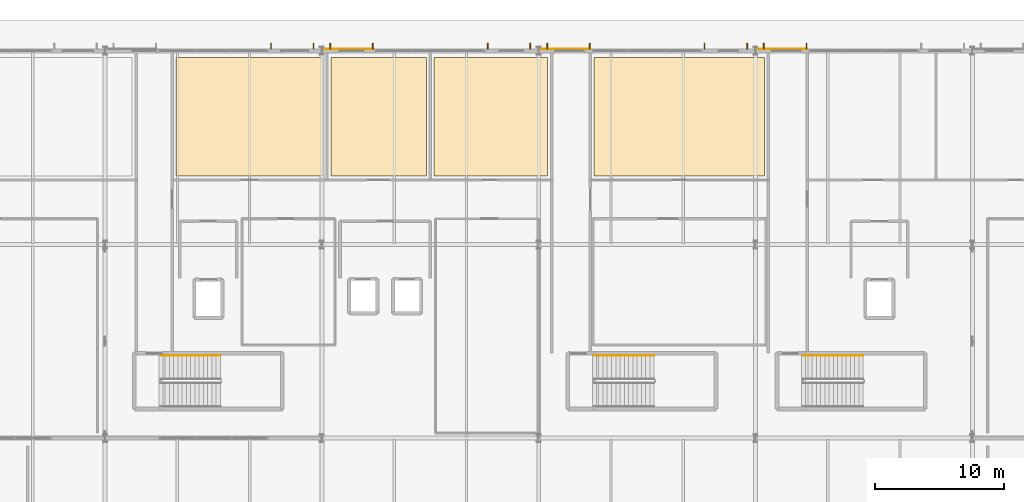
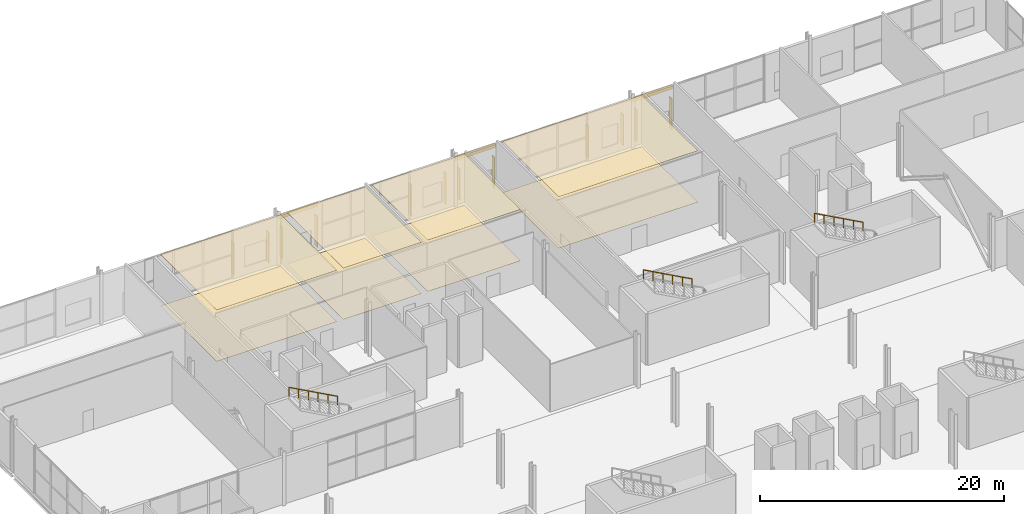
# One storey, part 79 of 87: 12 shading devices, 11 coverings, 3 railings.
"""IFC4 building model written with IfcOpenShell, lengths in metres."""

from ifc_helpers import new_model, si_unit, direction, frame, origin, origin_2d, place, context, subcontext, project, spatial, polyline, rectangle, circle, outline, extrude, material, layer, layer_set, type_object, element, save


model = new_model("IFC4")

# Units and contexts
model_context = context("Model", 3, precision=1e-05, world=origin(), true_north=direction((0.0, 1.0)))
body_context = subcontext(model_context, "Body", "Model", "MODEL_VIEW")
ifc_project = project(units=[si_unit("LENGTHUNIT", "METRE"), si_unit("AREAUNIT", "SQUARE_METRE"), si_unit("VOLUMEUNIT", "CUBIC_METRE"), si_unit("PLANEANGLEUNIT", "RADIAN"), si_unit("MASSUNIT", "GRAM", prefix="KILO")], contexts=[model_context])

# Site, building, storey
site_placement = place(None, origin())
site = spatial("IfcSite", under=ifc_project, at=site_placement, CompositionType="ELEMENT")
building_placement = place(site_placement, origin())
building = spatial("IfcBuilding", under=site, at=building_placement, Name="Kimbaza Rail Terminus", CompositionType="ELEMENT")
storey_placement = place(building_placement, origin())
storey = spatial("IfcBuildingStorey", under=building, at=storey_placement, Name="L00", CompositionType="ELEMENT", Elevation=0.0)

# Coverings
ifc_material_1 = material(Name="Perforated acoustic mineral ceiling tile", Category="gypsum")
ifc_layer_1 = layer(ifc_material_1, 0.02490234375)
ifc_layer_set_1 = layer_set([ifc_layer_1], Name="Perforated acoustic mineral ceiling tile")
covering_type_1 = type_object("IfcCoveringType", Name="ARC-COV-CEIL", PredefinedType="CEILING", material=ifc_layer_set_1)
covering_1_placement = place(storey_placement, frame((0.0, 0.0, 5.139892578125)))
element("IfcCovering", 1, at=covering_1_placement, inside=storey, type_object=covering_type_1, Name="Station Security Control Room Acoustic Ceiling", PredefinedType="CEILING", context=body_context, shape_type="SweptSolid", body=[
    extrude(outline(polyline([(77.5, 123.300048828125), (88.89990234375, 123.300048828125), (88.89990234375, 132.5), (77.5, 132.5), (77.5, 123.300048828125)])), origin(), (0.0, 0.0, 1.0), 0.025146484375),
])
covering_2_placement = place(storey_placement, frame((0.0, 0.0, 5.139892578125)))
element("IfcCovering", 2, at=covering_2_placement, inside=storey, type_object=covering_type_1, Name="Fire Command Centre Acoustic Ceiling", PredefinedType="CEILING", context=body_context, shape_type="SweptSolid", body=[
    extrude(outline(polyline([(89.5, 123.300048828125), (96.89990234375, 123.300048828125), (96.89990234375, 132.5), (89.5, 132.5), (89.5, 123.300048828125)])), origin(), (0.0, 0.0, 1.0), 0.025146484375),
])
covering_3_placement = place(storey_placement, frame((0.0, 0.0, 5.139892578125)))
element("IfcCovering", 3, at=covering_3_placement, inside=storey, type_object=covering_type_1, Name="Passenger Medical and First Aid Clinic Acoustic Ceiling", PredefinedType="CEILING", context=body_context, shape_type="SweptSolid", body=[
    extrude(outline(polyline([(97.5, 123.300048828125), (106.300048828125, 123.300048828125), (106.300048828125, 132.5), (97.5, 132.5), (97.5, 123.300048828125)])), origin(), (0.0, 0.0, 1.0), 0.025146484375),
])
covering_4_placement = place(storey_placement, frame((0.0, 0.0, 5.139892578125)))
element("IfcCovering", 4, at=covering_4_placement, inside=storey, type_object=covering_type_1, Name="Train Crew Locker and Shower Suite Acoustic Ceiling", PredefinedType="CEILING", context=body_context, shape_type="SweptSolid", body=[
    extrude(outline(polyline([(109.89990234375, 123.300048828125), (123.10009765625, 123.300048828125), (123.10009765625, 132.5), (109.89990234375, 132.5), (109.89990234375, 123.300048828125)])), origin(), (0.0, 0.0, 1.0), 0.025146484375),
])
ifc_material_2 = material(Name="Champagne anodised aluminium spandrel cladding", Category="aluminium")
ifc_layer_2 = layer(ifc_material_2, 0.034912109375)
ifc_layer_set_2 = layer_set([ifc_layer_2], Name="Champagne anodised aluminium spandrel cladding")
covering_type_2 = type_object("IfcCoveringType", Name="ARC-COV-CLD1", PredefinedType="CLADDING", material=ifc_layer_set_2)
for number, where, z_axis, x_axis, name in (
    (5, (90.89990234375, 133.156005859375, 4.240234375), (0.0, 0.0, 1.0), (1.0, 0.0, 0.0), "North Spandrel Cladding L00 Bay 3"),
    (6, (107.699951171875, 133.156005859375, 4.240234375), (0.0, 0.0, 1.0), (1.0, 0.0, 0.0), "North Spandrel Cladding L00 Bay 4"),
    (7, (124.5, 133.156005859375, 4.240234375), (0.0, 0.0, 1.0), (1.0, 0.0, 0.0), "North Spandrel Cladding L00 Bay 5"),
):
    element("IfcCovering", number, at=place(storey_placement, frame(where, z_axis=z_axis, x_axis=x_axis)), inside=storey, type_object=covering_type_2, Name=name, PredefinedType="CLADDING", context=body_context, shape_type="SweptSolid", body=[
        extrude(rectangle(XDim=3.800048828125, YDim=0.034912109375, at=origin_2d()), origin(), (0.0, 0.0, 1.0), 0.449951171875),
    ])
ifc_material_3 = material(Name="Honed Congolese granite terrazzo flooring", Category="masonry")
ifc_layer_3 = layer(ifc_material_3, 0.02001953125)
ifc_layer_set_3 = layer_set([ifc_layer_3], Name="Honed Congolese granite terrazzo flooring")
covering_type_3 = type_object("IfcCoveringType", Name="ARC-COV-FLOR", PredefinedType="FLOORING", material=ifc_layer_set_3)
covering_5_placement = place(storey_placement, origin())
element("IfcCovering", 8, at=covering_5_placement, inside=storey, type_object=covering_type_3, Name="Station Security Control Room Terrazzo Flooring", PredefinedType="FLOORING", context=body_context, shape_type="SweptSolid", body=[
    extrude(outline(polyline([(77.5, 123.300048828125), (88.89990234375, 123.300048828125), (88.89990234375, 132.5), (77.5, 132.5), (77.5, 123.300048828125)])), origin(), (0.0, 0.0, 1.0), 0.02001953125),
])
covering_6_placement = place(storey_placement, origin())
element("IfcCovering", 9, at=covering_6_placement, inside=storey, type_object=covering_type_3, Name="Fire Command Centre Terrazzo Flooring", PredefinedType="FLOORING", context=body_context, shape_type="SweptSolid", body=[
    extrude(outline(polyline([(89.5, 123.300048828125), (96.89990234375, 123.300048828125), (96.89990234375, 132.5), (89.5, 132.5), (89.5, 123.300048828125)])), origin(), (0.0, 0.0, 1.0), 0.02001953125),
])
covering_7_placement = place(storey_placement, origin())
element("IfcCovering", 10, at=covering_7_placement, inside=storey, type_object=covering_type_3, Name="Passenger Medical and First Aid Clinic Terrazzo Flooring", PredefinedType="FLOORING", context=body_context, shape_type="SweptSolid", body=[
    extrude(outline(polyline([(97.5, 123.300048828125), (106.300048828125, 123.300048828125), (106.300048828125, 132.5), (97.5, 132.5), (97.5, 123.300048828125)])), origin(), (0.0, 0.0, 1.0), 0.02001953125),
])
covering_8_placement = place(storey_placement, origin())
element("IfcCovering", 11, at=covering_8_placement, inside=storey, type_object=covering_type_3, Name="Train Crew Locker and Shower Suite Terrazzo Flooring", PredefinedType="FLOORING", context=body_context, shape_type="SweptSolid", body=[
    extrude(outline(polyline([(109.89990234375, 123.300048828125), (123.10009765625, 123.300048828125), (123.10009765625, 132.5), (109.89990234375, 132.5), (109.89990234375, 123.300048828125)])), origin(), (0.0, 0.0, 1.0), 0.02001953125),
])

# Railings
ifc_material_4 = material(Name="Brushed stainless steel handrail", Category="steel")
railing_type = type_object("IfcRailingType", Name="ARC-RL-HND92", PredefinedType="HANDRAIL", material=ifc_material_4)
railing_1_placement = place(storey_placement, frame((80.93994140625, 109.389892578125, 2.8798828125)))
element("IfcRailing", 12, at=railing_1_placement, inside=storey, type_object=railing_type, Name="L00 ST-W1 stair handrail 2", PredefinedType="HANDRAIL", context=body_context, shape_type="SweptSolid", body=[
    extrude(circle(Radius=0.02392578125, at=origin_2d()), frame((0.0, 0.0, 0.8759765625), z_axis=(-0.877888480945, 0.0, 0.478865132395), x_axis=(0.0, -1.0, 0.0)), (0.0, 0.0, 1.0), 5.262451171875),
    extrude(circle(Radius=0.02099609375, at=origin_2d()), origin(), (0.0, 0.0, 1.0), 0.851806640625),
    extrude(circle(Radius=0.02099609375, at=origin_2d()), frame((-0.924072265625, 0.0, 0.50390625)), (0.0, 0.0, 1.0), 0.851806640625),
    extrude(circle(Radius=0.02099609375, at=origin_2d()), frame((-1.847900390625, 0.0, 1.008056640625)), (0.0, 0.0, 1.0), 0.851806640625),
    extrude(circle(Radius=0.02099609375, at=origin_2d()), frame((-2.77197265625, 0.0, 1.511962890625)), (0.0, 0.0, 1.0), 0.851806640625),
    extrude(circle(Radius=0.02099609375, at=origin_2d()), frame((-3.69580078125, 0.0, 2.01611328125)), (0.0, 0.0, 1.0), 0.851806640625),
    extrude(circle(Radius=0.02099609375, at=origin_2d()), frame((-4.619873046875, 0.0, 2.52001953125)), (0.0, 0.0, 1.0), 0.851806640625),
])
railing_2_placement = place(storey_placement, frame((114.5400390625, 109.389892578125, 2.8798828125)))
element("IfcRailing", 13, at=railing_2_placement, inside=storey, type_object=railing_type, Name="L00 ST-M1 stair handrail 2", PredefinedType="HANDRAIL", context=body_context, shape_type="SweptSolid", body=[
    extrude(circle(Radius=0.02392578125, at=origin_2d()), frame((0.0, 0.0, 0.8759765625), z_axis=(-0.877899118682, 0.0, 0.478845630049), x_axis=(0.0, -1.0, 0.0)), (0.0, 0.0, 1.0), 5.2626953125),
    extrude(circle(Radius=0.02099609375, at=origin_2d()), origin(), (0.0, 0.0, 1.0), 0.851806640625),
    extrude(circle(Radius=0.02099609375, at=origin_2d()), frame((-0.924072265625, 0.0, 0.50390625)), (0.0, 0.0, 1.0), 0.851806640625),
    extrude(circle(Radius=0.02099609375, at=origin_2d()), frame((-1.84814453125, 0.0, 1.008056640625)), (0.0, 0.0, 1.0), 0.851806640625),
    extrude(circle(Radius=0.02099609375, at=origin_2d()), frame((-2.77197265625, 0.0, 1.511962890625)), (0.0, 0.0, 1.0), 0.851806640625),
    extrude(circle(Radius=0.02099609375, at=origin_2d()), frame((-3.696044921875, 0.0, 2.01611328125)), (0.0, 0.0, 1.0), 0.851806640625),
    extrude(circle(Radius=0.02099609375, at=origin_2d()), frame((-4.6201171875, 0.0, 2.52001953125)), (0.0, 0.0, 1.0), 0.851806640625),
])
railing_3_placement = place(storey_placement, frame((130.739990234375, 109.389892578125, 2.8798828125)))
element("IfcRailing", 14, at=railing_3_placement, inside=storey, type_object=railing_type, Name="L00 ST-E1 stair handrail 2", PredefinedType="HANDRAIL", context=body_context, shape_type="SweptSolid", body=[
    extrude(circle(Radius=0.02392578125, at=origin_2d()), frame((0.0, 0.0, 0.8759765625), z_axis=(-0.877888480945, 0.0, 0.478865132395), x_axis=(0.0, -1.0, 0.0)), (0.0, 0.0, 1.0), 5.262451171875),
    extrude(circle(Radius=0.02099609375, at=origin_2d()), origin(), (0.0, 0.0, 1.0), 0.851806640625),
    extrude(circle(Radius=0.02099609375, at=origin_2d()), frame((-0.924072265625, 0.0, 0.50390625)), (0.0, 0.0, 1.0), 0.851806640625),
    extrude(circle(Radius=0.02099609375, at=origin_2d()), frame((-1.847900390625, 0.0, 1.008056640625)), (0.0, 0.0, 1.0), 0.851806640625),
    extrude(circle(Radius=0.02099609375, at=origin_2d()), frame((-2.77197265625, 0.0, 1.511962890625)), (0.0, 0.0, 1.0), 0.851806640625),
    extrude(circle(Radius=0.02099609375, at=origin_2d()), frame((-3.69580078125, 0.0, 2.01611328125)), (0.0, 0.0, 1.0), 0.851806640625),
    extrude(circle(Radius=0.02099609375, at=origin_2d()), frame((-4.619873046875, 0.0, 2.52001953125)), (0.0, 0.0, 1.0), 0.851806640625),
])

# Shading devices
ifc_material_5 = material(Name="Champagne anodised extruded aluminium", Category="aluminium")
shading_device_type = type_object("IfcShadingDeviceType", Name="ARC-SHD-FIN450", PredefinedType="USERDEFINED", material=ifc_material_5)
for number, where, z_axis, x_axis, name in (
    (15, (84.85009765625, 133.363037109375, 0.14990234375), (0.0, 0.0, 1.0), (1.0, 0.0, 0.0), "North Solar Fin L00 Bay 2.3"),
    (16, (88.14990234375, 133.363037109375, 0.14990234375), (0.0, 0.0, 1.0), (1.0, 0.0, 0.0), "North Solar Fin L00 Bay 2.4"),
    (17, (89.449951171875, 133.363037109375, 0.14990234375), (0.0, 0.0, 1.0), (1.0, 0.0, 0.0), "North Solar Fin L00 Bay 3.1"),
    (18, (92.75, 133.363037109375, 0.14990234375), (0.0, 0.0, 1.0), (1.0, 0.0, 0.0), "North Solar Fin L00 Bay 3.2"),
    (19, (101.64990234375, 133.363037109375, 0.14990234375), (0.0, 0.0, 1.0), (1.0, 0.0, 0.0), "North Solar Fin L00 Bay 3.3"),
    (20, (104.949951171875, 133.363037109375, 0.14990234375), (0.0, 0.0, 1.0), (1.0, 0.0, 0.0), "North Solar Fin L00 Bay 3.4"),
    (21, (106.25, 133.363037109375, 0.14990234375), (0.0, 0.0, 1.0), (1.0, 0.0, 0.0), "North Solar Fin L00 Bay 4.1"),
    (22, (109.550048828125, 133.363037109375, 0.14990234375), (0.0, 0.0, 1.0), (1.0, 0.0, 0.0), "North Solar Fin L00 Bay 4.2"),
    (23, (118.449951171875, 133.363037109375, 0.14990234375), (0.0, 0.0, 1.0), (1.0, 0.0, 0.0), "North Solar Fin L00 Bay 4.3"),
    (24, (121.75, 133.363037109375, 0.14990234375), (0.0, 0.0, 1.0), (1.0, 0.0, 0.0), "North Solar Fin L00 Bay 4.4"),
    (25, (123.050048828125, 133.363037109375, 0.14990234375), (0.0, 0.0, 1.0), (1.0, 0.0, 0.0), "North Solar Fin L00 Bay 5.1"),
    (26, (126.35009765625, 133.363037109375, 0.14990234375), (0.0, 0.0, 1.0), (1.0, 0.0, 0.0), "North Solar Fin L00 Bay 5.2"),
):
    element("IfcShadingDevice", number, at=place(storey_placement, frame(where, z_axis=z_axis, x_axis=x_axis)), inside=storey, type_object=shading_device_type, Name=name, ObjectType="BRISE SOLEIL FIN", PredefinedType="USERDEFINED", context=body_context, shape_type="SweptSolid", body=[
        extrude(rectangle(XDim=0.06494140625, YDim=0.449951171875, at=origin_2d()), origin(), (0.0, 0.0, 1.0), 3.10009765625),
    ])

save(model, "model.ifc")
